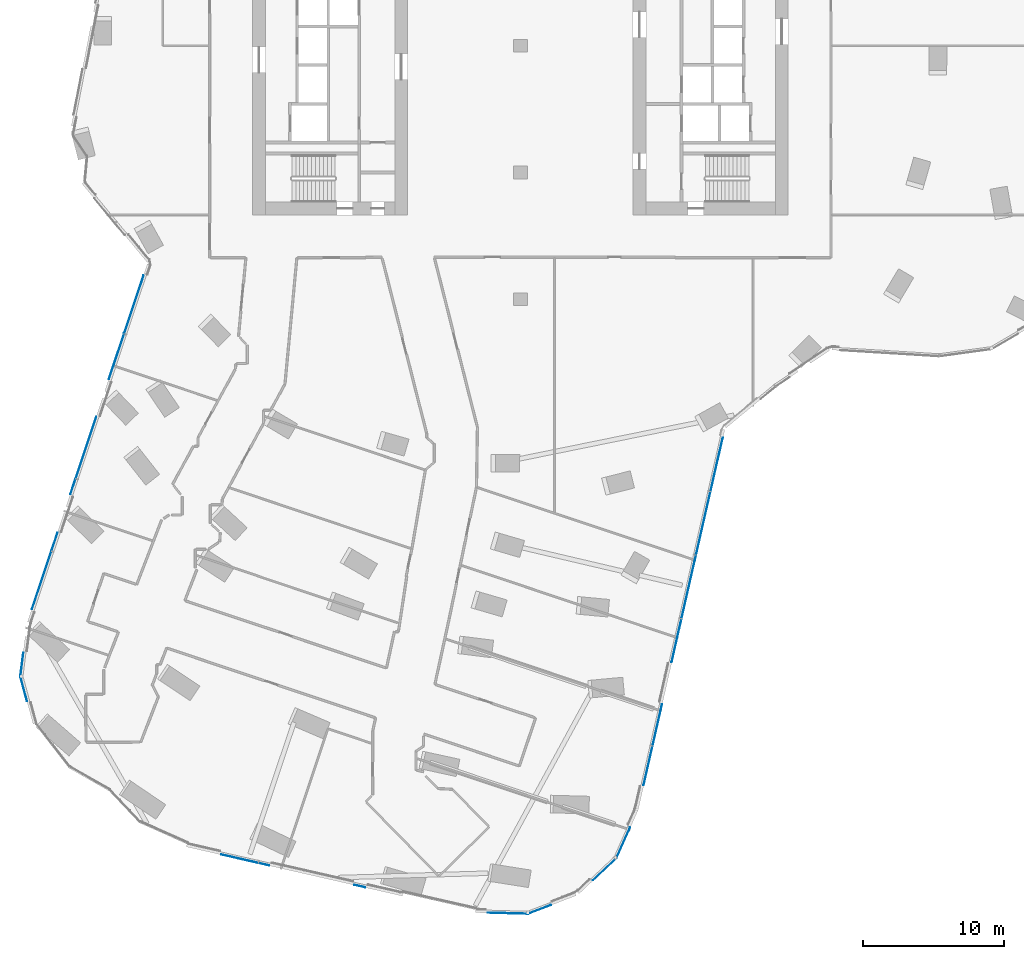
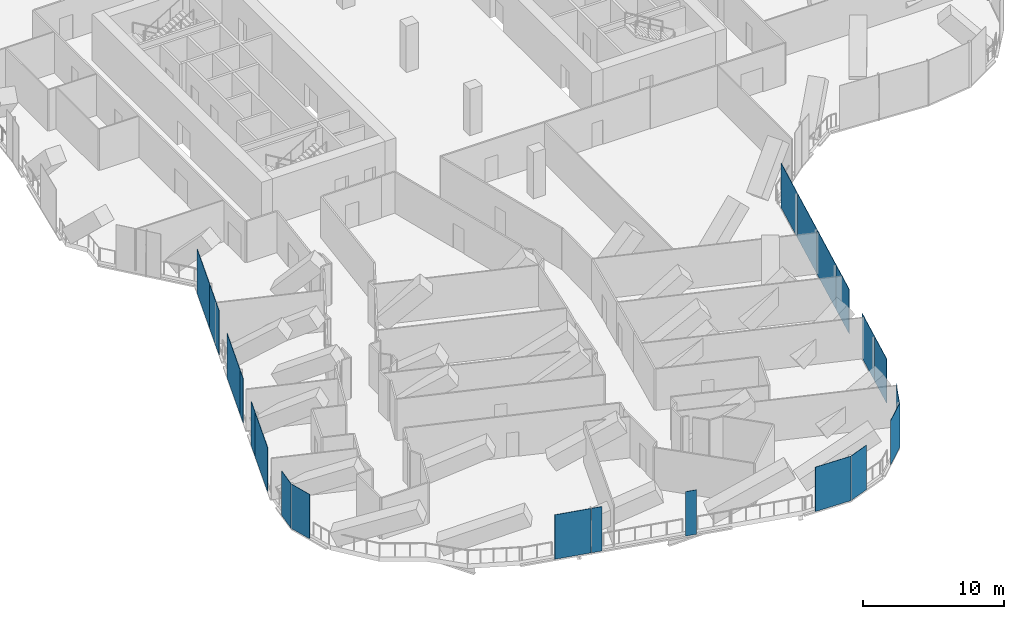
# One storey, part 13 of 28: 21 plates, 9 elements without a shape of their own.
"""IFC4 building model written with IfcOpenShell, lengths in metres."""

from ifc_helpers import new_model, si_unit, direction, frame, origin, origin_2d, place, context, subcontext, project, spatial, rectangle, extrude, material, layer, layer_set, type_object, element, aggregate, save


model = new_model("IFC4")

# Units and contexts
model_context = context("Model", 3, precision=1e-05, world=origin(), true_north=direction((0.0, 1.0)))
body_context = subcontext(model_context, "Body", "Model", "MODEL_VIEW")
ifc_project = project(units=[si_unit("LENGTHUNIT", "METRE"), si_unit("AREAUNIT", "SQUARE_METRE"), si_unit("VOLUMEUNIT", "CUBIC_METRE"), si_unit("PLANEANGLEUNIT", "RADIAN"), si_unit("MASSUNIT", "GRAM", prefix="KILO")], contexts=[model_context])

# Site, building, storey
site_placement = place(None, origin())
site = spatial("IfcSite", under=ifc_project, at=site_placement, CompositionType="ELEMENT")
building_placement = place(site_placement, origin())
building = spatial("IfcBuilding", under=site, at=building_placement, Name="Orlundy Tower", CompositionType="ELEMENT")
storey_placement = place(building_placement, frame((0.0, 0.0, 163.10009765625)))
storey = spatial("IfcBuildingStorey", under=building, at=storey_placement, Name="L42", CompositionType="ELEMENT", Elevation=163.10009765625)

# Curtain wall, plates
ifc_material_1 = material(Name="Aluminium bronze anodised", Category="aluminium")
curtain_wall_type = type_object("IfcCurtainWallType", Name="CW5 wall", PredefinedType="NOTDEFINED", material=ifc_material_1)
curtain_wall_1_placement = place(storey_placement, origin())
curtain_wall_1 = element("IfcCurtainWall", 1, at=curtain_wall_1_placement, inside=storey, type_object=curtain_wall_type, Name="CW5 run 031", PredefinedType="NOTDEFINED")
ifc_material_2 = material(Name="Tinted glass", Category="glass")
ifc_layer_1 = layer(ifc_material_2, 0.031982421875)
ifc_layer_set_1 = layer_set([ifc_layer_1], Name="CW5 glass panel 32")
plate_type_1 = type_object("IfcPlateType", Name="CW5 glass panel 32", PredefinedType="CURTAIN_PANEL", material=ifc_layer_set_1)
plate_1_placement = place(storey_placement, frame((12.980712890625, -33.891357421875, -0.26025390625), z_axis=(0.0, 0.0, 1.0), x_axis=(-0.222106437373, -0.975022425628, 0.0)))
plate_1 = element("IfcPlate", 2, at=plate_1_placement, type_object=plate_type_1, Name="CW5 panel", PredefinedType="CURTAIN_PANEL", context=body_context, shape_type="SweptSolid", body=[
    extrude(rectangle(XDim=4.58056640625, YDim=0.031982421875, at=origin_2d()), origin(), (0.0, 0.0, 1.0), 3.840087890625),
])
plate_2_placement = place(storey_placement, frame((11.9521484375, -38.40625, -0.26025390625), z_axis=(0.0, 0.0, 1.0), x_axis=(-0.222106437373, -0.975022425628, 0.0)))
plate_2 = element("IfcPlate", 3, at=plate_2_placement, type_object=plate_type_1, Name="CW5 panel", PredefinedType="CURTAIN_PANEL", context=body_context, shape_type="SweptSolid", body=[
    extrude(rectangle(XDim=4.58056640625, YDim=0.031982421875, at=origin_2d()), origin(), (0.0, 0.0, 1.0), 3.840087890625),
])
plate_3_placement = place(storey_placement, frame((9.720703125, -48.2021484375, -0.26025390625), z_axis=(0.0, 0.0, 1.0), x_axis=(-0.222106437373, -0.975022425628, 0.0)))
plate_3 = element("IfcPlate", 4, at=plate_3_placement, type_object=plate_type_1, Name="CW5 panel", PredefinedType="CURTAIN_PANEL", context=body_context, shape_type="SweptSolid", body=[
    extrude(rectangle(XDim=3.010009765625, YDim=0.031982421875, at=origin_2d()), origin(), (0.0, 0.0, 1.0), 3.840087890625),
])
plate_4_placement = place(storey_placement, frame((9.06103515625, -51.098388671875, -0.26025390625), z_axis=(0.0, 0.0, 1.0), x_axis=(-0.222106437373, -0.975022425628, 0.0)))
plate_4 = element("IfcPlate", 5, at=plate_4_placement, type_object=plate_type_1, Name="CW5 panel", PredefinedType="CURTAIN_PANEL", context=body_context, shape_type="SweptSolid", body=[
    extrude(rectangle(XDim=2.830810546875, YDim=0.031982421875, at=origin_2d()), origin(), (0.0, 0.0, 1.0), 3.840087890625),
])

# Curtain wall, plate
curtain_wall_2_placement = place(storey_placement, origin())
curtain_wall_2 = element("IfcCurtainWall", 6, at=curtain_wall_2_placement, inside=storey, type_object=curtain_wall_type, Name="CW5 run 033", PredefinedType="NOTDEFINED")
plate_5_placement = place(storey_placement, frame((5.98779296875, -58.441162109375, -0.26025390625), z_axis=(0.0, 0.0, 1.0), x_axis=(-0.726391984534, -0.687280644864, 0.0)))
plate_5 = element("IfcPlate", 7, at=plate_5_placement, type_object=plate_type_1, Name="CW5 panel", PredefinedType="CURTAIN_PANEL", context=body_context, shape_type="SweptSolid", body=[
    extrude(rectangle(XDim=2.27197265625, YDim=0.031982421875, at=origin_2d()), origin(), (0.0, 0.0, 1.0), 3.840087890625),
])
aggregate(curtain_wall_2, [plate_5])

curtain_wall_3_placement = place(storey_placement, origin())
curtain_wall_3 = element("IfcCurtainWall", 8, at=curtain_wall_3_placement, inside=storey, type_object=curtain_wall_type, Name="CW5 run 034", PredefinedType="NOTDEFINED")
plate_6_placement = place(storey_placement, frame((1.353515625, -61.295654296875, -0.26025390625), z_axis=(0.0, 0.0, 1.0), x_axis=(-0.934115354942, -0.356971292489, 0.0)))
plate_6 = element("IfcPlate", 9, at=plate_6_placement, type_object=plate_type_1, Name="CW5 panel", PredefinedType="CURTAIN_PANEL", context=body_context, shape_type="SweptSolid", body=[
    extrude(rectangle(XDim=1.74951171875, YDim=0.031982421875, at=origin_2d()), origin(), (0.0, 0.0, 1.0), 3.840087890625),
])
aggregate(curtain_wall_3, [plate_6])

# Curtain wall, plates
curtain_wall_4_placement = place(storey_placement, origin())
curtain_wall_4 = element("IfcCurtainWall", 10, at=curtain_wall_4_placement, inside=storey, type_object=curtain_wall_type, Name="CW5 run 036", PredefinedType="NOTDEFINED")
plate_7_placement = place(storey_placement, frame((-11.3974609375, -59.642578125, -0.26025390625), z_axis=(0.0, 0.0, 1.0), x_axis=(-0.975026093537, 0.222090335048, 0.0)))
plate_7 = element("IfcPlate", 11, at=plate_7_placement, type_object=plate_type_1, Name="CW5 panel", PredefinedType="CURTAIN_PANEL", context=body_context, shape_type="SweptSolid", body=[
    extrude(rectangle(XDim=0.797119140625, YDim=0.031982421875, at=origin_2d()), origin(), (0.0, 0.0, 1.0), 3.840087890625),
])
plate_8_placement = place(storey_placement, frame((-19.93115234375, -57.69873046875, -0.26025390625), z_axis=(0.0, 0.0, 1.0), x_axis=(-0.975026093537, 0.222090335048, 0.0)))
plate_8 = element("IfcPlate", 12, at=plate_8_placement, type_object=plate_type_1, Name="CW5 panel", PredefinedType="CURTAIN_PANEL", context=body_context, shape_type="SweptSolid", body=[
    extrude(rectangle(XDim=2.684814453125, YDim=0.031982421875, at=origin_2d()), origin(), (0.0, 0.0, 1.0), 3.840087890625),
])

# Curtain wall, plate
curtain_wall_5_placement = place(storey_placement, origin())
curtain_wall_5 = element("IfcCurtainWall", 13, at=curtain_wall_5_placement, inside=storey, type_object=curtain_wall_type, Name="CW5 run 042", PredefinedType="NOTDEFINED")
plate_9_placement = place(storey_placement, frame((-35.37890625, -43.916748046875, -0.26025390625), z_axis=(0.0, 0.0, 1.0), x_axis=(0.125993609416, 0.992031053136, 0.0)))
plate_9 = element("IfcPlate", 14, at=plate_9_placement, type_object=plate_type_1, Name="CW5 panel", PredefinedType="CURTAIN_PANEL", context=body_context, shape_type="SweptSolid", body=[
    extrude(rectangle(XDim=1.700439453125, YDim=0.031982421875, at=origin_2d()), origin(), (0.0, 0.0, 1.0), 3.840087890625),
])
aggregate(curtain_wall_5, [plate_9])

# Curtain wall, plates
curtain_wall_6_placement = place(storey_placement, origin())
curtain_wall_6 = element("IfcCurtainWall", 15, at=curtain_wall_6_placement, inside=storey, type_object=curtain_wall_type, Name="CW5 run 043", PredefinedType="NOTDEFINED")
plate_10_placement = place(storey_placement, frame((-33.981201171875, -37.947509765625, -0.26025390625), z_axis=(0.0, 0.0, 1.0), x_axis=(0.317312198176, 0.948321131732, 0.0)))
plate_10 = element("IfcPlate", 16, at=plate_10_placement, type_object=plate_type_1, Name="CW5 panel", PredefinedType="CURTAIN_PANEL", context=body_context, shape_type="SweptSolid", body=[
    extrude(rectangle(XDim=4.330322265625, YDim=0.031982421875, at=origin_2d()), origin(), (0.0, 0.0, 1.0), 3.840087890625),
])
plate_11_placement = place(storey_placement, frame((-30.8291015625, -28.527099609375, -0.26025390625), z_axis=(0.0, 0.0, 1.0), x_axis=(0.317312198176, 0.948321131732, 0.0)))
plate_11 = element("IfcPlate", 17, at=plate_11_placement, type_object=plate_type_1, Name="CW5 panel", PredefinedType="CURTAIN_PANEL", context=body_context, shape_type="SweptSolid", body=[
    extrude(rectangle(XDim=4.59521484375, YDim=0.031982421875, at=origin_2d()), origin(), (0.0, 0.0, 1.0), 3.840087890625),
])
plate_12_placement = place(storey_placement, frame((-28.669189453125, -22.07177734375, -0.26025390625), z_axis=(0.0, 0.0, 1.0), x_axis=(0.317312198176, 0.948321131732, 0.0)))
plate_12 = element("IfcPlate", 18, at=plate_12_placement, type_object=plate_type_1, Name="CW5 panel", PredefinedType="CURTAIN_PANEL", context=body_context, shape_type="SweptSolid", body=[
    extrude(rectangle(XDim=3.375244140625, YDim=0.031982421875, at=origin_2d()), origin(), (0.0, 0.0, 1.0), 3.840087890625),
])

# Plate
ifc_material_3 = material(Name="Tinted glass", Category="glass")
ifc_layer_2 = layer(ifc_material_3, 0.031982421875)
ifc_layer_set_2 = layer_set([ifc_layer_2], Name="CW5 vent panel 32")
plate_type_2 = type_object("IfcPlateType", Name="CW5 vent panel 32", PredefinedType="CURTAIN_PANEL", material=ifc_layer_set_2)
plate_13_placement = place(storey_placement, frame((13.932861328125, -29.71142578125, -0.26025390625), z_axis=(0.0, 0.0, 1.0), x_axis=(-0.222106437373, -0.975022425628, 0.0)))
plate_13 = element("IfcPlate", 19, at=plate_13_placement, type_object=plate_type_2, Name="CW5 panel", PredefinedType="CURTAIN_PANEL", context=body_context, shape_type="SweptSolid", body=[
    extrude(rectangle(XDim=3.8935546875, YDim=0.031982421875, at=origin_2d()), origin(), (0.0, 0.0, 1.0), 3.840087890625),
])

plate_14_placement = place(storey_placement, frame((11.0849609375, -42.21337890625, -0.26025390625), z_axis=(0.0, 0.0, 1.0), x_axis=(-0.222106437373, -0.975022425628, 0.0)))
plate_14 = element("IfcPlate", 20, at=plate_14_placement, type_object=plate_type_2, Name="CW5 panel", PredefinedType="CURTAIN_PANEL", context=body_context, shape_type="SweptSolid", body=[
    extrude(rectangle(XDim=3.128173828125, YDim=0.031982421875, at=origin_2d()), origin(), (0.0, 0.0, 1.0), 3.840087890625),
])

aggregate(curtain_wall_1, [plate_13, plate_1, plate_2, plate_14, plate_3, plate_4])

# Curtain wall, plate
curtain_wall_7_placement = place(storey_placement, origin())
curtain_wall_7 = element("IfcCurtainWall", 21, at=curtain_wall_7_placement, inside=storey, type_object=curtain_wall_type, Name="CW5 run 032", PredefinedType="NOTDEFINED")
plate_15_placement = place(storey_placement, frame((7.30126953125, -56.568359375, -0.26025390625), z_axis=(0.0, 0.0, 1.0), x_axis=(-0.408164927627, -0.912908205602, 0.0)))
plate_15 = element("IfcPlate", 22, at=plate_15_placement, type_object=plate_type_2, Name="CW5 panel", PredefinedType="CURTAIN_PANEL", context=body_context, shape_type="SweptSolid", body=[
    extrude(rectangle(XDim=2.392822265625, YDim=0.031982421875, at=origin_2d()), origin(), (0.0, 0.0, 1.0), 3.840087890625),
])
aggregate(curtain_wall_7, [plate_15])

curtain_wall_8_placement = place(storey_placement, origin())
curtain_wall_8 = element("IfcCurtainWall", 23, at=curtain_wall_8_placement, inside=storey, type_object=curtain_wall_type, Name="CW5 run 035", PredefinedType="NOTDEFINED")
plate_16_placement = place(storey_placement, frame((-0.896240234375, -61.568603515625, -0.26025390625), z_axis=(0.0, 0.0, 1.0), x_axis=(-0.999621254799, 0.02751993738, 0.0)))
plate_16 = element("IfcPlate", 24, at=plate_16_placement, type_object=plate_type_2, Name="CW5 panel", PredefinedType="CURTAIN_PANEL", context=body_context, shape_type="SweptSolid", body=[
    extrude(rectangle(XDim=2.86669921875, YDim=0.031982421875, at=origin_2d()), origin(), (0.0, 0.0, 1.0), 3.840087890625),
])
aggregate(curtain_wall_8, [plate_16])

# Plate
plate_17_placement = place(storey_placement, frame((-18.191650390625, -58.094970703125, -0.26025390625), z_axis=(0.0, 0.0, 1.0), x_axis=(-0.975026093537, 0.222090335048, 0.0)))
plate_17 = element("IfcPlate", 25, at=plate_17_placement, type_object=plate_type_2, Name="CW5 panel", PredefinedType="CURTAIN_PANEL", context=body_context, shape_type="SweptSolid", body=[
    extrude(rectangle(XDim=0.782958984375, YDim=0.031982421875, at=origin_2d()), origin(), (0.0, 0.0, 1.0), 3.840087890625),
])

aggregate(curtain_wall_4, [plate_7, plate_17, plate_8])

# Curtain wall, plate
curtain_wall_9_placement = place(storey_placement, origin())
curtain_wall_9 = element("IfcCurtainWall", 26, at=curtain_wall_9_placement, inside=storey, type_object=curtain_wall_type, Name="CW5 run 041", PredefinedType="NOTDEFINED")
plate_18_placement = place(storey_placement, frame((-35.24462890625, -45.64697265625, -0.26025390625), z_axis=(0.0, 0.0, 1.0), x_axis=(-0.262797766834, 0.964850938616, 0.0)))
plate_18 = element("IfcPlate", 27, at=plate_18_placement, type_object=plate_type_2, Name="CW5 panel", PredefinedType="CURTAIN_PANEL", context=body_context, shape_type="SweptSolid", body=[
    extrude(rectangle(XDim=1.838134765625, YDim=0.031982421875, at=origin_2d()), origin(), (0.0, 0.0, 1.0), 3.840087890625),
])
aggregate(curtain_wall_9, [plate_18])

# Plate
plate_19_placement = place(storey_placement, frame((-33.06396484375, -35.20654296875, -0.26025390625), z_axis=(0.0, 0.0, 1.0), x_axis=(0.317312198176, 0.948321131732, 0.0)))
plate_19 = element("IfcPlate", 28, at=plate_19_placement, type_object=plate_type_2, Name="CW5 panel", PredefinedType="CURTAIN_PANEL", context=body_context, shape_type="SweptSolid", body=[
    extrude(rectangle(XDim=1.3505859375, YDim=0.031982421875, at=origin_2d()), origin(), (0.0, 0.0, 1.0), 3.840087890625),
])

plate_20_placement = place(storey_placement, frame((-31.754150390625, -31.291748046875, -0.26025390625), z_axis=(0.0, 0.0, 1.0), x_axis=(0.317312198176, 0.948321131732, 0.0)))
plate_20 = element("IfcPlate", 29, at=plate_20_placement, type_object=plate_type_2, Name="CW5 panel", PredefinedType="CURTAIN_PANEL", context=body_context, shape_type="SweptSolid", body=[
    extrude(rectangle(XDim=1.13525390625, YDim=0.031982421875, at=origin_2d()), origin(), (0.0, 0.0, 1.0), 3.840087890625),
])

plate_21_placement = place(storey_placement, frame((-27.428466796875, -18.364013671875, -0.26025390625), z_axis=(0.0, 0.0, 1.0), x_axis=(0.317312198176, 0.948321131732, 0.0)))
plate_21 = element("IfcPlate", 30, at=plate_21_placement, type_object=plate_type_2, Name="CW5 panel", PredefinedType="CURTAIN_PANEL", context=body_context, shape_type="SweptSolid", body=[
    extrude(rectangle(XDim=4.344482421875, YDim=0.031982421875, at=origin_2d()), origin(), (0.0, 0.0, 1.0), 3.840087890625),
])

aggregate(curtain_wall_6, [plate_10, plate_19, plate_20, plate_11, plate_12, plate_21])

save(model, "model.ifc")
